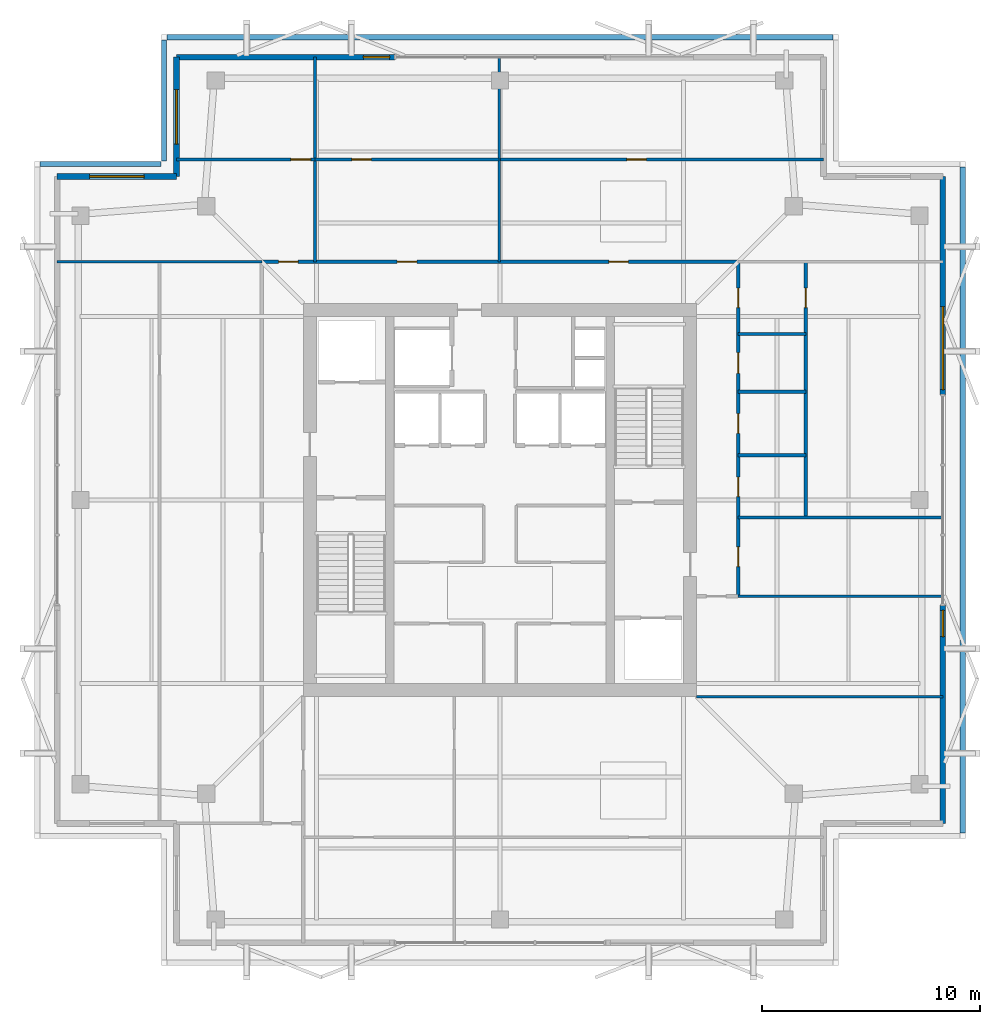
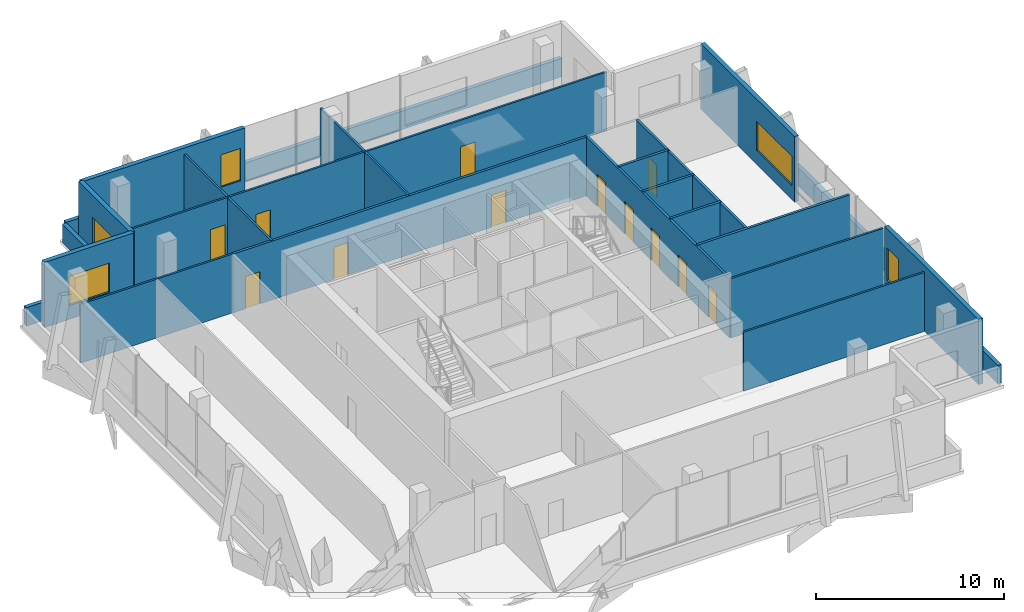
# One storey, part 15 of 17: 24 walls, 12 doors, 5 windows, 17 openings.
"""IFC4 building model written with IfcOpenShell, lengths in metres."""

from ifc_helpers import new_model, si_unit, direction, frame, frame_2d, origin, place, context, subcontext, project, spatial, rectangle, extrude, material, layer, layer_set, type_object, element, fill, save


model = new_model("IFC4")

# Units and contexts
model_context = context("Model", 3, precision=1e-05, world=origin(), true_north=direction((0.0, 1.0)))
body_context = subcontext(model_context, "Body", "Model", "MODEL_VIEW")
ifc_project = project(units=[si_unit("LENGTHUNIT", "METRE"), si_unit("AREAUNIT", "SQUARE_METRE"), si_unit("VOLUMEUNIT", "CUBIC_METRE"), si_unit("PLANEANGLEUNIT", "RADIAN"), si_unit("MASSUNIT", "GRAM", prefix="KILO")], contexts=[model_context])

# Site, building, storey
site_placement = place(None, origin())
site = spatial("IfcSite", under=ifc_project, at=site_placement, CompositionType="ELEMENT")
building_placement = place(site_placement, origin())
building = spatial("IfcBuilding", under=site, at=building_placement, Name="Belovzor Exchange Tower", CompositionType="ELEMENT")
storey_placement = place(building_placement, frame((0.0, 0.0, 355.5)))
storey = spatial("IfcBuildingStorey", under=building, at=storey_placement, Name="L89", CompositionType="ELEMENT", Elevation=355.5)

# Wall, opening, door
ifc_material_1 = material(Name="Acoustic Plasterboard on Galvanised Studs", Category="gypsum")
ifc_layer_1 = layer(ifc_material_1, 0.1201171875)
ifc_layer_set_1 = layer_set([ifc_layer_1], Name="Acoustic Plasterboard on Galvanised Studs")
wall_type_1 = type_object("IfcWallType", Name="Acoustic Double-Stud Partition Wall 120", PredefinedType="PARTITIONING", material=ifc_layer_set_1)
wall_1_placement = place(storey_placement, frame((14.0, 44.385009765625, 0.0), z_axis=(0.0, 0.0, 1.0), x_axis=(1.0, 0.0, 0.0)))
wall_1 = element("IfcWall", 1, at=wall_1_placement, inside=storey, type_object=wall_type_1, Name="W-P120 Partition Wall W-L89-NHDIV-0", PredefinedType="PARTITIONING", context=body_context, shape_type="SweptSolid", body=[
    extrude(rectangle(XDim=6.330078125, YDim=0.1201171875, at=frame_2d((3.1650390625, 0.0))), origin(), (0.0, 0.0, 1.0), 3.824951171875),
])
opening_1_placement = place(wall_1_placement, frame((5.22998046875, 0.0, 0.0)))
opening_1 = element("IfcOpeningElement", 2, at=opening_1_placement, cuts=wall_1, Name="Opening D-INT-090", PredefinedType="OPENING", context=body_context, shape_type="SweptSolid", body=[
    extrude(rectangle(XDim=0.89990234375, YDim=2.10009765625, at=frame_2d((0.449951171875, 1.050048828125))), frame((0.0, 0.070068359375, 0.0), z_axis=(0.0, -1.0, 0.0), x_axis=(1.0, 0.0, 0.0)), (0.0, 0.0, 1.0), 0.14013671875),
])
ifc_material_2 = material(Name="Veneered Hardwood Acoustic Leaf", Category="wood")
door_type_1 = type_object("IfcDoorType", Name="Trading Suite Acoustic Single Door 900x2100", OperationType="NOTDEFINED", PredefinedType="DOOR", material=ifc_material_2)
door_1_placement = place(opening_1_placement, origin())
door_1 = element("IfcDoor", 3, at=door_1_placement, inside=storey, type_object=door_type_1, Name="D-INT-090 Trading Suite Acoustic Single Door 900x2100", OperationType="SINGLE_SWING_RIGHT", OverallHeight=2.10009765625, OverallWidth=0.89990234375, PredefinedType="DOOR", context=body_context, shape_type="SweptSolid", body=[
    extrude(rectangle(XDim=0.89990234375, YDim=2.10009765625, at=frame_2d((0.449951171875, 1.050048828125))), frame((0.0, 0.02490234375, 0.0), z_axis=(0.0, -1.0, 0.0), x_axis=(1.0, 0.0, 0.0)), (0.0, 0.0, 1.0), 0.050048828125),
])
fill(opening_1, door_1)

# Wall
wall_2_placement = place(storey_placement, frame((20.330078125, 39.699951171875, 0.0), z_axis=(0.0, 0.0, 1.0), x_axis=(0.0, 1.0, 0.0)))
element("IfcWall", 4, at=wall_2_placement, inside=storey, type_object=wall_type_1, Name="W-P120 Partition Wall W-L89-NDIV-1", PredefinedType="PARTITIONING", context=body_context, shape_type="SweptSolid", body=[
    extrude(rectangle(XDim=9.3701171875, YDim=0.1201171875, at=frame_2d((4.68505859375, 0.0))), origin(), (0.0, 0.0, 1.0), 3.824951171875),
])

# Wall, opening, door
wall_3_placement = place(storey_placement, frame((20.330078125, 44.385009765625, 0.0), z_axis=(0.0, 0.0, 1.0), x_axis=(1.0, 0.0, 0.0)))
wall_3 = element("IfcWall", 5, at=wall_3_placement, inside=storey, type_object=wall_type_1, Name="W-P120 Partition Wall W-L89-NHDIV-1", PredefinedType="PARTITIONING", context=body_context, shape_type="SweptSolid", body=[
    extrude(rectangle(XDim=8.430908203125, YDim=0.1201171875, at=frame_2d((4.21533203125, 0.0))), origin(), (0.0, 0.0, 1.0), 3.824951171875),
])
opening_2_placement = place(wall_3_placement, frame((1.68603515625, 0.0, 0.0)))
opening_2 = element("IfcOpeningElement", 6, at=opening_2_placement, cuts=wall_3, Name="Opening D-INT-090", PredefinedType="OPENING", context=body_context, shape_type="SweptSolid", body=[
    extrude(rectangle(XDim=0.89990234375, YDim=2.10009765625, at=frame_2d((0.449951171875, 1.050048828125))), frame((0.0, 0.070068359375, 0.0), z_axis=(0.0, -1.0, 0.0), x_axis=(1.0, 0.0, 0.0)), (0.0, 0.0, 1.0), 0.14013671875),
])
door_2_placement = place(opening_2_placement, origin())
door_2 = element("IfcDoor", 7, at=door_2_placement, inside=storey, type_object=door_type_1, Name="D-INT-090 Trading Suite Acoustic Single Door 900x2100", OperationType="SINGLE_SWING_RIGHT", OverallHeight=2.10009765625, OverallWidth=0.89990234375, PredefinedType="DOOR", context=body_context, shape_type="SweptSolid", body=[
    extrude(rectangle(XDim=0.89990234375, YDim=2.10009765625, at=frame_2d((0.449951171875, 1.050048828125))), frame((0.0, 0.02490234375, 0.0), z_axis=(0.0, -1.0, 0.0), x_axis=(1.0, 0.0, 0.0)), (0.0, 0.0, 1.0), 0.050048828125),
])
fill(opening_2, door_2)

# Wall
wall_4_placement = place(storey_placement, frame((28.760986328125, 39.699951171875, 0.0), z_axis=(0.0, 0.0, 1.0), x_axis=(0.0, 1.0, 0.0)))
element("IfcWall", 8, at=wall_4_placement, inside=storey, type_object=wall_type_1, Name="W-P120 Partition Wall W-L89-NDIV-2", PredefinedType="PARTITIONING", context=body_context, shape_type="SweptSolid", body=[
    extrude(rectangle(XDim=9.3701171875, YDim=0.1201171875, at=frame_2d((4.68505859375, 0.0))), origin(), (0.0, 0.0, 1.0), 3.824951171875),
])

# Wall, opening, door
wall_5_placement = place(storey_placement, frame((28.760986328125, 44.385009765625, 0.0), z_axis=(0.0, 0.0, 1.0), x_axis=(1.0, 0.0, 0.0)))
wall_5 = element("IfcWall", 9, at=wall_5_placement, inside=storey, type_object=wall_type_1, Name="W-P120 Partition Wall W-L89-NHDIV-2", PredefinedType="PARTITIONING", context=body_context, shape_type="SweptSolid", body=[
    extrude(rectangle(XDim=14.839111328125, YDim=0.1201171875, at=frame_2d((7.41943359375, 0.0))), origin(), (0.0, 0.0, 1.0), 3.824951171875),
])
opening_3_placement = place(wall_5_placement, frame((5.841064453125, 0.0, 0.0)))
opening_3 = element("IfcOpeningElement", 10, at=opening_3_placement, cuts=wall_5, Name="Opening D-INT-090", PredefinedType="OPENING", context=body_context, shape_type="SweptSolid", body=[
    extrude(rectangle(XDim=0.89990234375, YDim=2.10009765625, at=frame_2d((0.449951171875, 1.050048828125))), frame((0.0, 0.070068359375, 0.0), z_axis=(0.0, -1.0, 0.0), x_axis=(1.0, 0.0, 0.0)), (0.0, 0.0, 1.0), 0.14013671875),
])
door_3_placement = place(opening_3_placement, origin())
door_3 = element("IfcDoor", 11, at=door_3_placement, inside=storey, type_object=door_type_1, Name="D-INT-090 Trading Suite Acoustic Single Door 900x2100", OperationType="SINGLE_SWING_RIGHT", OverallHeight=2.10009765625, OverallWidth=0.89990234375, PredefinedType="DOOR", context=body_context, shape_type="SweptSolid", body=[
    extrude(rectangle(XDim=0.89990234375, YDim=2.10009765625, at=frame_2d((0.449951171875, 1.050048828125))), frame((0.0, 0.02490234375, 0.0), z_axis=(0.0, -1.0, 0.0), x_axis=(1.0, 0.0, 0.0)), (0.0, 0.0, 1.0), 0.050048828125),
])
fill(opening_3, door_3)

# Walls
wall_6_placement = place(storey_placement, frame((37.800048828125, 19.800048828125, 0.0), z_axis=(0.0, 0.0, 1.0), x_axis=(1.0, 0.0, 0.0)))
element("IfcWall", 12, at=wall_6_placement, inside=storey, type_object=wall_type_1, Name="W-P120 Partition Wall W-L89-ESS", PredefinedType="PARTITIONING", context=body_context, shape_type="SweptSolid", body=[
    extrude(rectangle(XDim=11.27001953125, YDim=0.1201171875, at=frame_2d((5.635009765625, 0.0))), origin(), (0.0, 0.0, 1.0), 3.824951171875),
])
wall_7_placement = place(storey_placement, frame((39.699951171875, 24.39990234375, 0.0), z_axis=(0.0, 0.0, 1.0), x_axis=(1.0, 0.0, 0.0)))
element("IfcWall", 13, at=wall_7_placement, inside=storey, type_object=wall_type_1, Name="W-P120 Partition Wall W-L89-ESN", PredefinedType="PARTITIONING", context=body_context, shape_type="SweptSolid", body=[
    extrude(rectangle(XDim=9.3701171875, YDim=0.1201171875, at=frame_2d((4.68505859375, 0.0))), origin(), (0.0, 0.0, 1.0), 3.864990234375),
])
wall_8_placement = place(storey_placement, frame((8.530029296875, 39.699951171875, 0.0), z_axis=(0.0, 0.0, 1.0), x_axis=(1.0, 0.0, 0.0)))
element("IfcWall", 14, at=wall_8_placement, inside=storey, type_object=wall_type_1, Name="W-P120 Partition Wall W-L89-END-NW", PredefinedType="PARTITIONING", context=body_context, shape_type="SweptSolid", body=[
    extrude(rectangle(XDim=9.369873046875, YDim=0.1201171875, at=frame_2d((4.68505859375, 0.0))), origin(), (0.0, 0.0, 1.0), 3.824951171875),
])

# Wall, opening, door
ifc_material_3 = material(Name="Fire-Rated Gypsum Block and Mineral Wool", Category="gypsum")
ifc_layer_2 = layer(ifc_material_3, 0.14990234375)
ifc_layer_set_2 = layer_set([ifc_layer_2], Name="Fire-Rated Gypsum Block and Mineral Wool")
wall_type_2 = type_object("IfcWallType", Name="Fire-Rated Gypsum Block Corridor Wall 150", PredefinedType="PARTITIONING", material=ifc_layer_set_2)
wall_9_placement = place(storey_placement, frame((42.800048828125, 28.0, 0.0), z_axis=(0.0, 0.0, 1.0), x_axis=(0.0, 1.0, 0.0)))
wall_9 = element("IfcWall", 15, at=wall_9_placement, inside=storey, type_object=wall_type_2, Name="W-P150 Partition Wall W-L89-EWC-E", PredefinedType="PARTITIONING", context=body_context, shape_type="SweptSolid", body=[
    extrude(rectangle(XDim=11.699951171875, YDim=0.14990234375, at=frame_2d((5.85009765625, 0.0))), origin(), (0.0, 0.0, 1.0), 3.824951171875),
])
opening_4_placement = place(wall_9_placement, frame((9.60009765625, 0.0, 0.0)))
opening_4 = element("IfcOpeningElement", 16, at=opening_4_placement, cuts=wall_9, Name="Opening D-INT-090", PredefinedType="OPENING", context=body_context, shape_type="SweptSolid", body=[
    extrude(rectangle(XDim=0.89990234375, YDim=2.10009765625, at=frame_2d((0.449951171875, 1.050048828125))), frame((0.0, 0.0849609375, 0.0), z_axis=(0.0, -1.0, 0.0), x_axis=(1.0, 0.0, 0.0)), (0.0, 0.0, 1.0), 0.169921875),
])
door_4_placement = place(opening_4_placement, origin())
door_4 = element("IfcDoor", 17, at=door_4_placement, inside=storey, type_object=door_type_1, Name="D-INT-090 Trading Suite Acoustic Single Door 900x2100", OperationType="SINGLE_SWING_RIGHT", OverallHeight=2.10009765625, OverallWidth=0.89990234375, PredefinedType="DOOR", context=body_context, shape_type="SweptSolid", body=[
    extrude(rectangle(XDim=0.89990234375, YDim=2.10009765625, at=frame_2d((0.449951171875, 1.050048828125))), frame((0.0, 0.02490234375, 0.0), z_axis=(0.0, -1.0, 0.0), x_axis=(1.0, 0.0, 0.0)), (0.0, 0.0, 1.0), 0.050048828125),
])
fill(opening_4, door_4)

# Walls
wall_10_placement = place(storey_placement, frame((39.699951171875, 28.0, 0.0), z_axis=(0.0, 0.0, 1.0), x_axis=(1.0, 0.0, 0.0)))
element("IfcWall", 18, at=wall_10_placement, inside=storey, type_object=wall_type_2, Name="W-P150 Partition Wall W-L89-EWC-S", PredefinedType="PARTITIONING", context=body_context, shape_type="SweptSolid", body=[
    extrude(rectangle(XDim=9.3701171875, YDim=0.14990234375, at=frame_2d((4.68505859375, 0.0))), origin(), (0.0, 0.0, 1.0), 3.864990234375),
])
for number, where, z_axis, x_axis, name in (
    (19, (39.699951171875, 36.39990234375, 0.0), (0.0, 0.0, 1.0), (1.0, 0.0, 0.0), "W-P150 Partition Wall W-L89-EWC-N"),
    (20, (39.699951171875, 30.85009765625, 0.0), (0.0, 0.0, 1.0), (1.0, 0.0, 0.0), "W-P150 Partition Wall W-L89-EWC-D1"),
    (21, (39.699951171875, 33.75, 0.0), (0.0, 0.0, 1.0), (1.0, 0.0, 0.0), "W-P150 Partition Wall W-L89-EWC-D2"),
):
    element("IfcWall", number, at=place(storey_placement, frame(where, z_axis=z_axis, x_axis=x_axis)), inside=storey, type_object=wall_type_2, Name=name, PredefinedType="PARTITIONING", context=body_context, shape_type="SweptSolid", body=[
        extrude(rectangle(XDim=3.10009765625, YDim=0.14990234375, at=frame_2d((1.550048828125, 0.0))), origin(), (0.0, 0.0, 1.0), 3.864990234375),
    ])

# Wall, openings, doors
wall_11_placement = place(storey_placement, frame((17.89990234375, 39.699951171875, 0.0), z_axis=(0.0, 0.0, 1.0), x_axis=(1.0, 0.0, 0.0)))
wall_11 = element("IfcWall", 22, at=wall_11_placement, inside=storey, type_object=wall_type_2, Name="W-P150 Partition Wall W-L89-CN", PredefinedType="PARTITIONING", context=body_context, shape_type="SweptSolid", body=[
    extrude(rectangle(XDim=21.800048828125, YDim=0.14990234375, at=frame_2d((10.89990234375, 0.0))), origin(), (0.0, 0.0, 1.0), 3.824951171875),
])
opening_5_placement = place(wall_11_placement, frame((0.764892578125, 0.0, 0.0)))
opening_5 = element("IfcOpeningElement", 23, at=opening_5_placement, cuts=wall_11, Name="Opening D-INT-090", PredefinedType="OPENING", context=body_context, shape_type="SweptSolid", body=[
    extrude(rectangle(XDim=0.89990234375, YDim=2.10009765625, at=frame_2d((0.449951171875, 1.050048828125))), frame((0.0, 0.0849609375, 0.0), z_axis=(0.0, -1.0, 0.0), x_axis=(1.0, 0.0, 0.0)), (0.0, 0.0, 1.0), 0.169921875),
])
opening_6_placement = place(wall_11_placement, frame((6.195068359375, 0.0, 0.0)))
opening_6 = element("IfcOpeningElement", 24, at=opening_6_placement, cuts=wall_11, Name="Opening D-INT-090", PredefinedType="OPENING", context=body_context, shape_type="SweptSolid", body=[
    extrude(rectangle(XDim=0.89990234375, YDim=2.10009765625, at=frame_2d((0.449951171875, 1.050048828125))), frame((0.0, 0.0849609375, 0.0), z_axis=(0.0, -1.0, 0.0), x_axis=(1.0, 0.0, 0.0)), (0.0, 0.0, 1.0), 0.169921875),
])
opening_7_placement = place(wall_11_placement, frame((15.8798828125, 0.0, 0.0)))
opening_7 = element("IfcOpeningElement", 25, at=opening_7_placement, cuts=wall_11, Name="Opening D-INT-090", PredefinedType="OPENING", context=body_context, shape_type="SweptSolid", body=[
    extrude(rectangle(XDim=0.89990234375, YDim=2.10009765625, at=frame_2d((0.449951171875, 1.050048828125))), frame((0.0, 0.0849609375, 0.0), z_axis=(0.0, -1.0, 0.0), x_axis=(1.0, 0.0, 0.0)), (0.0, 0.0, 1.0), 0.169921875),
])
door_5_placement = place(opening_5_placement, origin())
door_5 = element("IfcDoor", 26, at=door_5_placement, inside=storey, type_object=door_type_1, Name="D-INT-090 Trading Suite Acoustic Single Door 900x2100", OperationType="SINGLE_SWING_LEFT", OverallHeight=2.10009765625, OverallWidth=0.89990234375, PredefinedType="DOOR", context=body_context, shape_type="SweptSolid", body=[
    extrude(rectangle(XDim=0.89990234375, YDim=2.10009765625, at=frame_2d((0.449951171875, 1.050048828125))), frame((0.0, 0.02490234375, 0.0), z_axis=(0.0, -1.0, 0.0), x_axis=(1.0, 0.0, 0.0)), (0.0, 0.0, 1.0), 0.050048828125),
])
fill(opening_5, door_5)
door_6_placement = place(opening_6_placement, origin())
door_6 = element("IfcDoor", 27, at=door_6_placement, inside=storey, type_object=door_type_1, Name="D-INT-090 Trading Suite Acoustic Single Door 900x2100", OperationType="SINGLE_SWING_RIGHT", OverallHeight=2.10009765625, OverallWidth=0.89990234375, PredefinedType="DOOR", context=body_context, shape_type="SweptSolid", body=[
    extrude(rectangle(XDim=0.89990234375, YDim=2.10009765625, at=frame_2d((0.449951171875, 1.050048828125))), frame((0.0, 0.02490234375, 0.0), z_axis=(0.0, -1.0, 0.0), x_axis=(1.0, 0.0, 0.0)), (0.0, 0.0, 1.0), 0.050048828125),
])
fill(opening_6, door_6)
door_7_placement = place(opening_7_placement, origin())
door_7 = element("IfcDoor", 28, at=door_7_placement, inside=storey, type_object=door_type_1, Name="D-INT-090 Trading Suite Acoustic Single Door 900x2100", OperationType="SINGLE_SWING_LEFT", OverallHeight=2.10009765625, OverallWidth=0.89990234375, PredefinedType="DOOR", context=body_context, shape_type="SweptSolid", body=[
    extrude(rectangle(XDim=0.89990234375, YDim=2.10009765625, at=frame_2d((0.449951171875, 1.050048828125))), frame((0.0, 0.02490234375, 0.0), z_axis=(0.0, -1.0, 0.0), x_axis=(1.0, 0.0, 0.0)), (0.0, 0.0, 1.0), 0.050048828125),
])
fill(opening_7, door_7)

wall_12_placement = place(storey_placement, frame((39.699951171875, 24.39990234375, 0.0), z_axis=(0.0, 0.0, 1.0), x_axis=(0.0, 1.0, 0.0)))
wall_12 = element("IfcWall", 29, at=wall_12_placement, inside=storey, type_object=wall_type_2, Name="W-P150 Partition Wall W-L89-CE", PredefinedType="PARTITIONING", context=body_context, shape_type="SweptSolid", body=[
    extrude(rectangle(XDim=15.300048828125, YDim=0.14990234375, at=frame_2d((7.64990234375, 0.0))), origin(), (0.0, 0.0, 1.0), 3.824951171875),
])
opening_8_placement = place(wall_12_placement, frame((1.35009765625, 0.0, 0.0)))
opening_8 = element("IfcOpeningElement", 30, at=opening_8_placement, cuts=wall_12, Name="Opening D-INT-090", PredefinedType="OPENING", context=body_context, shape_type="SweptSolid", body=[
    extrude(rectangle(XDim=0.89990234375, YDim=2.10009765625, at=frame_2d((0.449951171875, 1.050048828125))), frame((0.0, 0.0849609375, 0.0), z_axis=(0.0, -1.0, 0.0), x_axis=(1.0, 0.0, 0.0)), (0.0, 0.0, 1.0), 0.169921875),
])
opening_9_placement = place(wall_12_placement, frame((4.550048828125, 0.0, 0.0)))
opening_9 = element("IfcOpeningElement", 31, at=opening_9_placement, cuts=wall_12, Name="Opening D-FD60-090", PredefinedType="OPENING", context=body_context, shape_type="SweptSolid", body=[
    extrude(rectangle(XDim=0.89990234375, YDim=2.10009765625, at=frame_2d((0.449951171875, 1.050048828125))), frame((0.0, 0.0849609375, 0.0), z_axis=(0.0, -1.0, 0.0), x_axis=(1.0, 0.0, 0.0)), (0.0, 0.0, 1.0), 0.169921875),
])
opening_10_placement = place(wall_12_placement, frame((7.449951171875, 0.0, 0.0)))
opening_10 = element("IfcOpeningElement", 32, at=opening_10_placement, cuts=wall_12, Name="Opening D-FD60-090", PredefinedType="OPENING", context=body_context, shape_type="SweptSolid", body=[
    extrude(rectangle(XDim=0.89990234375, YDim=2.10009765625, at=frame_2d((0.449951171875, 1.050048828125))), frame((0.0, 0.0849609375, 0.0), z_axis=(0.0, -1.0, 0.0), x_axis=(1.0, 0.0, 0.0)), (0.0, 0.0, 1.0), 0.169921875),
])
opening_11_placement = place(wall_12_placement, frame((10.199951171875, 0.0, 0.0)))
opening_11 = element("IfcOpeningElement", 33, at=opening_11_placement, cuts=wall_12, Name="Opening D-FD60-095", PredefinedType="OPENING", context=body_context, shape_type="SweptSolid", body=[
    extrude(rectangle(XDim=0.949951171875, YDim=2.10009765625, at=frame_2d((0.47509765625, 1.050048828125))), frame((0.0, 0.0849609375, 0.0), z_axis=(0.0, -1.0, 0.0), x_axis=(1.0, 0.0, 0.0)), (0.0, 0.0, 1.0), 0.169921875),
])
opening_12_placement = place(wall_12_placement, frame((13.199951171875, 0.0, 0.0)))
opening_12 = element("IfcOpeningElement", 34, at=opening_12_placement, cuts=wall_12, Name="Opening D-FD60-090", PredefinedType="OPENING", context=body_context, shape_type="SweptSolid", body=[
    extrude(rectangle(XDim=0.89990234375, YDim=2.10009765625, at=frame_2d((0.449951171875, 1.050048828125))), frame((0.0, 0.0849609375, 0.0), z_axis=(0.0, -1.0, 0.0), x_axis=(1.0, 0.0, 0.0)), (0.0, 0.0, 1.0), 0.169921875),
])
ifc_material_4 = material(Name="Moisture-Resistant Timber Fire Leaf", Category="wood")
door_type_2 = type_object("IfcDoorType", Name="Accessible Restroom Wide Fire Door 950x2100", OperationType="NOTDEFINED", PredefinedType="DOOR", material=ifc_material_4)
door_8_placement = place(opening_11_placement, origin())
door_8 = element("IfcDoor", 35, at=door_8_placement, inside=storey, type_object=door_type_2, Name="D-FD60-095 Accessible Restroom Wide Fire Door 950x2100", OperationType="SINGLE_SWING_LEFT", OverallHeight=2.10009765625, OverallWidth=0.949951171875, PredefinedType="DOOR", context=body_context, shape_type="SweptSolid", body=[
    extrude(rectangle(XDim=0.949951171875, YDim=2.10009765625, at=frame_2d((0.47509765625, 1.050048828125))), frame((0.0, 0.02490234375, 0.0), z_axis=(0.0, -1.0, 0.0), x_axis=(1.0, 0.0, 0.0)), (0.0, 0.0, 1.0), 0.050048828125),
])
fill(opening_11, door_8)
ifc_material_5 = material(Name="Acoustic Timber Fire Leaf", Category="wood")
door_type_3 = type_object("IfcDoorType", Name="Core Service & Restroom Fire Door 900x2100", OperationType="NOTDEFINED", PredefinedType="DOOR", material=ifc_material_5)
door_9_placement = place(opening_9_placement, origin())
door_9 = element("IfcDoor", 36, at=door_9_placement, inside=storey, type_object=door_type_3, Name="D-FD60-090 Core Service & Restroom Fire Door 900x2100", OperationType="SINGLE_SWING_LEFT", OverallHeight=2.10009765625, OverallWidth=0.89990234375, PredefinedType="DOOR", context=body_context, shape_type="SweptSolid", body=[
    extrude(rectangle(XDim=0.89990234375, YDim=2.10009765625, at=frame_2d((0.449951171875, 1.050048828125))), frame((0.0, 0.02490234375, 0.0), z_axis=(0.0, -1.0, 0.0), x_axis=(1.0, 0.0, 0.0)), (0.0, 0.0, 1.0), 0.050048828125),
])
fill(opening_9, door_9)
door_10_placement = place(opening_10_placement, origin())
door_10 = element("IfcDoor", 37, at=door_10_placement, inside=storey, type_object=door_type_3, Name="D-FD60-090 Core Service & Restroom Fire Door 900x2100", OperationType="SINGLE_SWING_RIGHT", OverallHeight=2.10009765625, OverallWidth=0.89990234375, PredefinedType="DOOR", context=body_context, shape_type="SweptSolid", body=[
    extrude(rectangle(XDim=0.89990234375, YDim=2.10009765625, at=frame_2d((0.449951171875, 1.050048828125))), frame((0.0, 0.02490234375, 0.0), z_axis=(0.0, -1.0, 0.0), x_axis=(1.0, 0.0, 0.0)), (0.0, 0.0, 1.0), 0.050048828125),
])
fill(opening_10, door_10)
door_11_placement = place(opening_12_placement, origin())
door_11 = element("IfcDoor", 38, at=door_11_placement, inside=storey, type_object=door_type_3, Name="D-FD60-090 Core Service & Restroom Fire Door 900x2100", OperationType="SINGLE_SWING_RIGHT", OverallHeight=2.10009765625, OverallWidth=0.89990234375, PredefinedType="DOOR", context=body_context, shape_type="SweptSolid", body=[
    extrude(rectangle(XDim=0.89990234375, YDim=2.10009765625, at=frame_2d((0.449951171875, 1.050048828125))), frame((0.0, 0.02490234375, 0.0), z_axis=(0.0, -1.0, 0.0), x_axis=(1.0, 0.0, 0.0)), (0.0, 0.0, 1.0), 0.050048828125),
])
fill(opening_12, door_11)
door_12_placement = place(opening_8_placement, origin())
door_12 = element("IfcDoor", 39, at=door_12_placement, inside=storey, type_object=door_type_1, Name="D-INT-090 Trading Suite Acoustic Single Door 900x2100", OperationType="SINGLE_SWING_RIGHT", OverallHeight=2.10009765625, OverallWidth=0.89990234375, PredefinedType="DOOR", context=body_context, shape_type="SweptSolid", body=[
    extrude(rectangle(XDim=0.89990234375, YDim=2.10009765625, at=frame_2d((0.449951171875, 1.050048828125))), frame((0.0, 0.02490234375, 0.0), z_axis=(0.0, -1.0, 0.0), x_axis=(1.0, 0.0, 0.0)), (0.0, 0.0, 1.0), 0.050048828125),
])
fill(opening_8, door_12)

# Wall, opening, window
ifc_material_6 = material(Name="Precast concrete C40/50", Category="concrete")
ifc_layer_3 = layer(ifc_material_6, 0.280029296875)
ifc_layer_set_3 = layer_set([ifc_layer_3], Name="Precast concrete C40/50")
wall_type_3 = type_object("IfcWallType", Name="Precast Concrete Notched Corner Frame Wall 280", PredefinedType="SOLIDWALL", material=ifc_layer_set_3)
wall_13_placement = place(storey_placement, frame((8.530029296875, 43.60009765625, 0.0), z_axis=(0.0, 0.0, 1.0), x_axis=(1.0, 0.0, 0.0)))
wall_13 = element("IfcWall", 40, at=wall_13_placement, inside=storey, type_object=wall_type_3, Name="W-CRN280 Precast Concrete Notched Corner Frame Wall 280 L89", PredefinedType="SOLIDWALL", context=body_context, shape_type="SweptSolid", body=[
    extrude(rectangle(XDim=5.469970703125, YDim=0.280029296875, at=frame_2d((2.73486328125, 0.0))), origin(), (0.0, 0.0, 1.0), 4.239990234375),
])
opening_13_placement = place(wall_13_placement, frame((1.485107421875, 0.0, 0.89990234375)))
opening_13 = element("IfcOpeningElement", 41, at=opening_13_placement, cuts=wall_13, Name="Opening WN-CRN250", PredefinedType="OPENING", context=body_context, shape_type="SweptSolid", body=[
    extrude(rectangle(XDim=2.5, YDim=1.89990234375, at=frame_2d((1.25, 0.949951171875))), frame((0.0, 0.14990234375, 0.0), z_axis=(0.0, -1.0, 0.0), x_axis=(1.0, 0.0, 0.0)), (0.0, 0.0, 1.0), 0.300048828125),
])
ifc_material_7 = material(Name="Thermally Broken Aluminium and Triple Glazing", Category="aluminium")
window_type_1 = type_object("IfcWindowType", Name="Streamline Moderne Corner Wrap Ribbon Window 2500x1900", PartitioningType="SINGLE_PANEL", PredefinedType="WINDOW", material=ifc_material_7)
window_1_placement = place(opening_13_placement, origin())
window_1 = element("IfcWindow", 42, at=window_1_placement, inside=storey, type_object=window_type_1, Name="WN-CRN250 Streamline Moderne Corner Wrap Ribbon Window 2500x1900", OverallHeight=1.89990234375, OverallWidth=2.5, PartitioningType="SINGLE_PANEL", PredefinedType="WINDOW", context=body_context, shape_type="SweptSolid", body=[
    extrude(rectangle(XDim=2.5, YDim=1.89990234375, at=frame_2d((1.25, 0.949951171875))), frame((0.0, 0.030029296875, 0.0), z_axis=(0.0, -1.0, 0.0), x_axis=(1.0, 0.0, 0.0)), (0.0, 0.0, 1.0), 0.06005859375),
])
fill(opening_13, window_1)

wall_14_placement = place(storey_placement, frame((14.0, 43.60009765625, 0.0), z_axis=(0.0, 0.0, 1.0), x_axis=(0.0, 1.0, 0.0)))
wall_14 = element("IfcWall", 43, at=wall_14_placement, inside=storey, type_object=wall_type_3, Name="W-CRN280 Precast Concrete Notched Corner Frame Wall 280 L89", PredefinedType="SOLIDWALL", context=body_context, shape_type="SweptSolid", body=[
    extrude(rectangle(XDim=5.469970703125, YDim=0.280029296875, at=frame_2d((2.73486328125, 0.0))), origin(), (0.0, 0.0, 1.0), 4.239990234375),
])
opening_14_placement = place(wall_14_placement, frame((1.485107421875, 0.0, 0.89990234375)))
opening_14 = element("IfcOpeningElement", 44, at=opening_14_placement, cuts=wall_14, Name="Opening WN-CRN250", PredefinedType="OPENING", context=body_context, shape_type="SweptSolid", body=[
    extrude(rectangle(XDim=2.5, YDim=1.89990234375, at=frame_2d((1.25, 0.949951171875))), frame((0.0, 0.14990234375, 0.0), z_axis=(0.0, -1.0, 0.0), x_axis=(1.0, 0.0, 0.0)), (0.0, 0.0, 1.0), 0.300048828125),
])
window_2_placement = place(opening_14_placement, origin())
window_2 = element("IfcWindow", 45, at=window_2_placement, inside=storey, type_object=window_type_1, Name="WN-CRN250 Streamline Moderne Corner Wrap Ribbon Window 2500x1900", OverallHeight=1.89990234375, OverallWidth=2.5, PartitioningType="SINGLE_PANEL", PredefinedType="WINDOW", context=body_context, shape_type="SweptSolid", body=[
    extrude(rectangle(XDim=2.5, YDim=1.89990234375, at=frame_2d((1.25, 0.949951171875))), frame((0.0, 0.030029296875, 0.0), z_axis=(0.0, -1.0, 0.0), x_axis=(1.0, 0.0, 0.0)), (0.0, 0.0, 1.0), 0.06005859375),
])
fill(opening_14, window_2)

ifc_material_8 = material(Name="Precast concrete C40/50", Category="concrete")
ifc_layer_4 = layer(ifc_material_8, 0.260009765625)
ifc_layer_set_4 = layer_set([ifc_layer_4], Name="Precast concrete C40/50")
wall_type_4 = type_object("IfcWallType", Name="Precast Concrete Perimeter Loggia Frame Wall 260", PredefinedType="SOLIDWALL", material=ifc_layer_set_4)
wall_15_placement = place(storey_placement, frame((14.0, 49.070068359375, 0.0), z_axis=(0.0, 0.0, 1.0), x_axis=(1.0, 0.0, 0.0)))
wall_15 = element("IfcWall", 46, at=wall_15_placement, inside=storey, type_object=wall_type_4, Name="W-EXT260 Precast Concrete Perimeter Loggia Frame Wall 260 L89", PredefinedType="SOLIDWALL", context=body_context, shape_type="SweptSolid", body=[
    extrude(rectangle(XDim=10.0, YDim=0.260009765625, at=frame_2d((5.0, 0.0))), origin(), (0.0, 0.0, 1.0), 4.239990234375),
])
opening_15_placement = place(wall_15_placement, frame((8.550048828125, 0.0, 0.89990234375)))
opening_15 = element("IfcOpeningElement", 47, at=opening_15_placement, cuts=wall_15, Name="Opening WN-CRN120", PredefinedType="OPENING", context=body_context, shape_type="SweptSolid", body=[
    extrude(rectangle(XDim=1.199951171875, YDim=2.10009765625, at=frame_2d((0.60009765625, 1.050048828125))), frame((0.0, 0.139892578125, 0.0), z_axis=(0.0, -1.0, 0.0), x_axis=(1.0, 0.0, 0.0)), (0.0, 0.0, 1.0), 0.280029296875),
])
ifc_material_9 = material(Name="Thermally Broken Aluminium and Triple Glazing", Category="aluminium")
window_type_2 = type_object("IfcWindowType", Name="Streamline Notched Corner Window 1200x2100", PartitioningType="SINGLE_PANEL", PredefinedType="WINDOW", material=ifc_material_9)
window_3_placement = place(opening_15_placement, origin())
window_3 = element("IfcWindow", 48, at=window_3_placement, inside=storey, type_object=window_type_2, Name="WN-CRN120 Streamline Notched Corner Window 1200x2100", OverallHeight=2.10009765625, OverallWidth=1.199951171875, PartitioningType="SINGLE_PANEL", PredefinedType="WINDOW", context=body_context, shape_type="SweptSolid", body=[
    extrude(rectangle(XDim=1.199951171875, YDim=2.10009765625, at=frame_2d((0.60009765625, 1.050048828125))), frame((0.0, 0.030029296875, 0.0), z_axis=(0.0, -1.0, 0.0), x_axis=(1.0, 0.0, 0.0)), (0.0, 0.0, 1.0), 0.06005859375),
])
fill(opening_15, window_3)

wall_16_placement = place(storey_placement, frame((49.070068359375, 43.60009765625, 0.0), z_axis=(0.0, 0.0, 1.0), x_axis=(0.0, -1.0, 0.0)))
wall_16 = element("IfcWall", 49, at=wall_16_placement, inside=storey, type_object=wall_type_4, Name="W-EXT260 Precast Concrete Perimeter Loggia Frame Wall 260 L89", PredefinedType="SOLIDWALL", context=body_context, shape_type="SweptSolid", body=[
    extrude(rectangle(XDim=10.0, YDim=0.260009765625, at=frame_2d((5.0, 0.0))), origin(), (0.0, 0.0, 1.0), 4.239990234375),
])
opening_16_placement = place(wall_16_placement, frame((5.949951171875, 0.0, 0.89990234375)))
opening_16 = element("IfcOpeningElement", 50, at=opening_16_placement, cuts=wall_16, Name="Opening WN-RIB380", PredefinedType="OPENING", context=body_context, shape_type="SweptSolid", body=[
    extrude(rectangle(XDim=3.800048828125, YDim=1.89990234375, at=frame_2d((1.89990234375, 0.949951171875))), frame((0.0, 0.139892578125, 0.0), z_axis=(0.0, -1.0, 0.0), x_axis=(1.0, 0.0, 0.0)), (0.0, 0.0, 1.0), 0.280029296875),
])
ifc_material_10 = material(Name="Thermally Broken Aluminium and Triple Glazing", Category="aluminium")
window_type_3 = type_object("IfcWindowType", Name="Streamline Moderne Horizontal Ribbon Window 3800x1900", PartitioningType="SINGLE_PANEL", PredefinedType="WINDOW", material=ifc_material_10)
window_4_placement = place(opening_16_placement, origin())
window_4 = element("IfcWindow", 51, at=window_4_placement, inside=storey, type_object=window_type_3, Name="WN-RIB380 Streamline Moderne Horizontal Ribbon Window 3800x1900", OverallHeight=1.89990234375, OverallWidth=3.800048828125, PartitioningType="SINGLE_PANEL", PredefinedType="WINDOW", context=body_context, shape_type="SweptSolid", body=[
    extrude(rectangle(XDim=3.800048828125, YDim=1.89990234375, at=frame_2d((1.89990234375, 0.949951171875))), frame((0.0, 0.030029296875, 0.0), z_axis=(0.0, -1.0, 0.0), x_axis=(1.0, 0.0, 0.0)), (0.0, 0.0, 1.0), 0.06005859375),
])
fill(opening_16, window_4)

wall_17_placement = place(storey_placement, frame((49.070068359375, 24.0, 0.0), z_axis=(0.0, 0.0, 1.0), x_axis=(0.0, -1.0, 0.0)))
wall_17 = element("IfcWall", 52, at=wall_17_placement, inside=storey, type_object=wall_type_4, Name="W-EXT260 Precast Concrete Perimeter Loggia Frame Wall 260 L89", PredefinedType="SOLIDWALL", context=body_context, shape_type="SweptSolid", body=[
    extrude(rectangle(XDim=10.0, YDim=0.260009765625, at=frame_2d((5.0, 0.0))), origin(), (0.0, 0.0, 1.0), 4.239990234375),
])
opening_17_placement = place(wall_17_placement, frame((0.25, 0.0, 0.89990234375)))
opening_17 = element("IfcOpeningElement", 53, at=opening_17_placement, cuts=wall_17, Name="Opening WN-CRN120", PredefinedType="OPENING", context=body_context, shape_type="SweptSolid", body=[
    extrude(rectangle(XDim=1.199951171875, YDim=2.10009765625, at=frame_2d((0.60009765625, 1.050048828125))), frame((0.0, 0.139892578125, 0.0), z_axis=(0.0, -1.0, 0.0), x_axis=(1.0, 0.0, 0.0)), (0.0, 0.0, 1.0), 0.280029296875),
])
window_5_placement = place(opening_17_placement, origin())
window_5 = element("IfcWindow", 54, at=window_5_placement, inside=storey, type_object=window_type_2, Name="WN-CRN120 Streamline Notched Corner Window 1200x2100", OverallHeight=2.10009765625, OverallWidth=1.199951171875, PartitioningType="SINGLE_PANEL", PredefinedType="WINDOW", context=body_context, shape_type="SweptSolid", body=[
    extrude(rectangle(XDim=1.199951171875, YDim=2.10009765625, at=frame_2d((0.60009765625, 1.050048828125))), frame((0.0, 0.030029296875, 0.0), z_axis=(0.0, -1.0, 0.0), x_axis=(1.0, 0.0, 0.0)), (0.0, 0.0, 1.0), 0.06005859375),
])
fill(opening_17, window_5)

# Walls
ifc_material_11 = material(Name="Precast concrete C40/50", Category="concrete")
ifc_layer_5 = layer(ifc_material_11, 0.239990234375)
ifc_layer_set_5 = layer_set([ifc_layer_5], Name="Precast concrete C40/50")
wall_type_5 = type_object("IfcWallType", Name="Precast Stone Setback Roof Parapet Wall 240", PredefinedType="PARAPET", material=ifc_layer_set_5)
for number, where, z_axis, x_axis, name in (
    (55, (49.97998046875, 13.554931640625, 0.0), (0.0, 0.0, 1.0), (0.0, 1.0, 0.0), "W-PAR240 Precast Stone Setback Roof Parapet Wall 240 L89"),
    (56, (44.044921875, 49.97998046875, 0.0), (0.0, 0.0, 1.0), (-1.0, 0.0, 0.0), "W-PAR240 Precast Stone Setback Roof Parapet Wall 240 L89"),
):
    element("IfcWall", number, at=place(storey_placement, frame(where, z_axis=z_axis, x_axis=x_axis)), inside=storey, type_object=wall_type_5, Name=name, PredefinedType="PARAPET", context=body_context, shape_type="SweptSolid", body=[
        extrude(rectangle(XDim=30.489990234375, YDim=0.239990234375, at=frame_2d((15.2451171875, 0.0))), origin(), (0.0, 0.0, 1.0), 1.199951171875),
    ])
for number, where, z_axis, x_axis, name in (
    (57, (13.419921875, 49.844970703125, 0.0), (0.0, 0.0, 1.0), (0.0, -1.0, 0.0), "W-PAR240 Precast Stone Setback Roof Parapet Wall 240 L89"),
    (58, (13.284912109375, 44.179931640625, 0.0), (0.0, 0.0, 1.0), (-1.0, 0.0, 0.0), "W-PAR240 Precast Stone Setback Roof Parapet Wall 240 L89"),
):
    element("IfcWall", number, at=place(storey_placement, frame(where, z_axis=z_axis, x_axis=x_axis)), inside=storey, type_object=wall_type_5, Name=name, PredefinedType="PARAPET", context=body_context, shape_type="SweptSolid", body=[
        extrude(rectangle(XDim=5.530029296875, YDim=0.239990234375, at=frame_2d((2.76513671875, 0.0))), origin(), (0.0, 0.0, 1.0), 1.199951171875),
    ])

save(model, "model.ifc")
